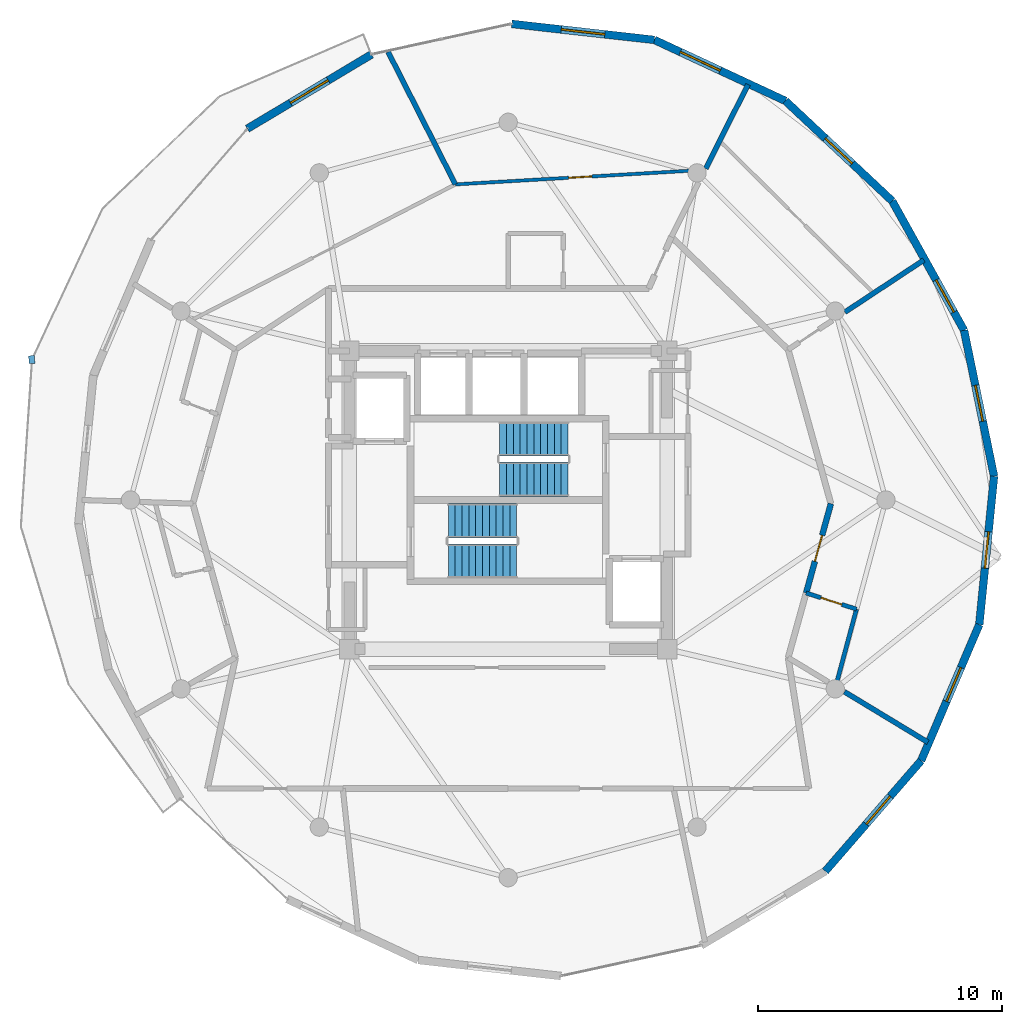
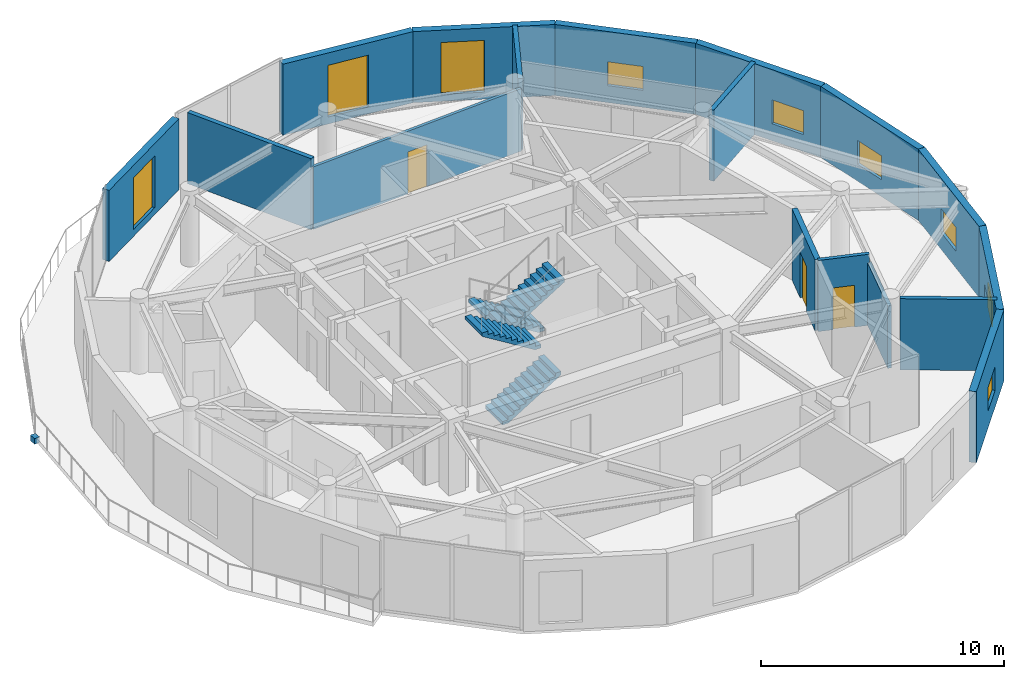
# One storey, part 13 of 15: 17 walls, 9 windows, 4 stair flights, 3 doors, 1 discrete accessory, 12 openings, 2 elements without a shape of their own.
"""IFC4 building model written with IfcOpenShell, lengths in metres."""

from ifc_helpers import new_model, si_unit, direction, frame, frame_2d, origin, origin_2d, place, context, subcontext, project, spatial, polyline, rectangle, outline, extrude, material, layer, layer_set, type_object, element, fill, aggregate, save


model = new_model("IFC4")

# Units and contexts
model_context = context("Model", 3, precision=1e-05, world=origin(), true_north=direction((0.0, 1.0)))
body_context = subcontext(model_context, "Body", "Model", "MODEL_VIEW")
ifc_project = project(units=[si_unit("LENGTHUNIT", "METRE"), si_unit("AREAUNIT", "SQUARE_METRE"), si_unit("VOLUMEUNIT", "CUBIC_METRE"), si_unit("PLANEANGLEUNIT", "RADIAN"), si_unit("MASSUNIT", "GRAM", prefix="KILO")], contexts=[model_context])

# Site, building, storey
site_placement = place(None, origin())
site = spatial("IfcSite", under=ifc_project, at=site_placement, CompositionType="ELEMENT")
building_placement = place(site_placement, origin())
building = spatial("IfcBuilding", under=site, at=building_placement, Name="Solvirekh Grand Hotel", CompositionType="ELEMENT")
storey_placement = place(building_placement, frame((0.0, 0.0, 270.60009765625)))
storey = spatial("IfcBuildingStorey", under=building, at=storey_placement, Name="L70", CompositionType="ELEMENT", Elevation=270.60009765625)

# Wall, opening, window
ifc_material_1 = material(Name="Precast concrete C45/55", Category="concrete")
ifc_layer_1 = layer(ifc_material_1, 0.320068359375)
ifc_layer_set_1 = layer_set([ifc_layer_1], Name="Precast concrete C45/55")
wall_type_1 = type_object("IfcWallType", Name="ExtLobbyWall_RC320", PredefinedType="SOLIDWALL", material=ifc_layer_set_1)
wall_1_placement = place(storey_placement, frame((16.89111328125, -10.6630859375, 0.0), z_axis=(0.0, 0.0, 1.0), x_axis=(-0.654956937311, -0.755666202941, 0.0)))
wall_1 = element("IfcWall", 1, at=wall_1_placement, inside=storey, type_object=wall_type_1, Name="L70 cantilevered deck support wall chord 3", PredefinedType="SOLIDWALL", context=body_context, shape_type="SweptSolid", body=[
    extrude(rectangle(XDim=5.9853515625, YDim=0.320068359375, at=frame_2d((2.99267578125, 0.0))), origin(), (0.0, 0.0, 1.0), 3.56982421875),
])
opening_1_placement = place(wall_1_placement, frame((1.927001953125, 0.0, 0.85009765625)))
opening_1 = element("IfcOpeningElement", 2, at=opening_1_placement, cuts=wall_1, Name="Opening W05", PredefinedType="OPENING", context=body_context, shape_type="SweptSolid", body=[
    extrude(rectangle(XDim=1.5, YDim=1.199951171875, at=frame_2d((0.75, 0.60009765625))), frame((0.0, 0.169921875, 0.0), z_axis=(0.0, -1.0, 0.0), x_axis=(1.0, 0.0, 0.0)), (0.0, 0.0, 1.0), 0.340087890625),
])
ifc_material_2 = material(Name="Low-E Tinted Bronze Laminated Glass", Category="aluminium")
window_type_1 = type_object("IfcWindowType", Name="Win_PlantVent_1500X1200", PartitioningType="SINGLE_PANEL", PredefinedType="WINDOW", material=ifc_material_2)
window_1_placement = place(opening_1_placement, origin())
window_1 = element("IfcWindow", 3, at=window_1_placement, inside=storey, type_object=window_type_1, Name="L70 bronze-framed vision ribbon window 3", OverallHeight=1.199951171875, OverallWidth=1.5, PartitioningType="SINGLE_PANEL", PredefinedType="WINDOW", context=body_context, shape_type="SweptSolid", body=[
    extrude(rectangle(XDim=1.5, YDim=1.199951171875, at=frame_2d((0.75, 0.60009765625))), frame((0.0, 0.030029296875, 0.0), z_axis=(0.0, -1.0, 0.0), x_axis=(1.0, 0.0, 0.0)), (0.0, 0.0, 1.0), 0.06005859375),
])
fill(opening_1, window_1)

wall_2_placement = place(storey_placement, frame((19.27001953125, -5.096923828125, 0.0), z_axis=(0.0, 0.0, 1.0), x_axis=(-0.392999104836, -0.919538853773, 0.0)))
wall_2 = element("IfcWall", 4, at=wall_2_placement, inside=storey, type_object=wall_type_1, Name="L70 cantilevered deck support wall chord 4", PredefinedType="SOLIDWALL", context=body_context, shape_type="SweptSolid", body=[
    extrude(rectangle(XDim=6.05322265625, YDim=0.320068359375, at=frame_2d((3.026611328125, 0.0))), origin(), (0.0, 0.0, 1.0), 3.56982421875),
])
opening_2_placement = place(wall_2_placement, frame((1.912109375, 0.0, 0.85009765625)))
opening_2 = element("IfcOpeningElement", 5, at=opening_2_placement, cuts=wall_2, Name="Opening W05", PredefinedType="OPENING", context=body_context, shape_type="SweptSolid", body=[
    extrude(rectangle(XDim=1.5, YDim=1.199951171875, at=frame_2d((0.75, 0.60009765625))), frame((0.0, 0.169921875, 0.0), z_axis=(0.0, -1.0, 0.0), x_axis=(1.0, 0.0, 0.0)), (0.0, 0.0, 1.0), 0.340087890625),
])
window_2_placement = place(opening_2_placement, origin())
window_2 = element("IfcWindow", 6, at=window_2_placement, inside=storey, type_object=window_type_1, Name="L70 bronze-framed vision ribbon window 4", OverallHeight=1.199951171875, OverallWidth=1.5, PartitioningType="SINGLE_PANEL", PredefinedType="WINDOW", context=body_context, shape_type="SweptSolid", body=[
    extrude(rectangle(XDim=1.5, YDim=1.199951171875, at=frame_2d((0.75, 0.60009765625))), frame((0.0, 0.030029296875, 0.0), z_axis=(0.0, -1.0, 0.0), x_axis=(1.0, 0.0, 0.0)), (0.0, 0.0, 1.0), 0.06005859375),
])
fill(opening_2, window_2)

wall_3_placement = place(storey_placement, frame((19.875, 0.968017578125, 0.0), z_axis=(0.0, 0.0, 1.0), x_axis=(-0.09925782999, -0.995061748429, 0.0)))
wall_3 = element("IfcWall", 7, at=wall_3_placement, inside=storey, type_object=wall_type_1, Name="L70 cantilevered deck support wall chord 5", PredefinedType="SOLIDWALL", context=body_context, shape_type="SweptSolid", body=[
    extrude(rectangle(XDim=6.094970703125, YDim=0.320068359375, at=frame_2d((3.04736328125, 0.0))), origin(), (0.0, 0.0, 1.0), 3.56982421875),
])
opening_3_placement = place(wall_3_placement, frame((2.27490234375, 0.0, 0.85009765625)))
opening_3 = element("IfcOpeningElement", 8, at=opening_3_placement, cuts=wall_3, Name="Opening W05", PredefinedType="OPENING", context=body_context, shape_type="SweptSolid", body=[
    extrude(rectangle(XDim=1.5, YDim=1.199951171875, at=frame_2d((0.75, 0.60009765625))), frame((0.0, 0.169921875, 0.0), z_axis=(0.0, -1.0, 0.0), x_axis=(1.0, 0.0, 0.0)), (0.0, 0.0, 1.0), 0.340087890625),
])
window_3_placement = place(opening_3_placement, origin())
window_3 = element("IfcWindow", 9, at=window_3_placement, inside=storey, type_object=window_type_1, Name="L70 bronze-framed vision ribbon window 5", OverallHeight=1.199951171875, OverallWidth=1.5, PartitioningType="SINGLE_PANEL", PredefinedType="WINDOW", context=body_context, shape_type="SweptSolid", body=[
    extrude(rectangle(XDim=1.5, YDim=1.199951171875, at=frame_2d((0.75, 0.60009765625))), frame((0.0, 0.030029296875, 0.0), z_axis=(0.0, -1.0, 0.0), x_axis=(1.0, 0.0, 0.0)), (0.0, 0.0, 1.0), 0.06005859375),
])
fill(opening_3, window_3)

wall_4_placement = place(storey_placement, frame((18.64697265625, 6.93896484375, 0.0), z_axis=(0.0, 0.0, 1.0), x_axis=(0.201450639807, -0.979498667545, 0.0)))
wall_4 = element("IfcWall", 10, at=wall_4_placement, inside=storey, type_object=wall_type_1, Name="L70 cantilevered deck support wall chord 6", PredefinedType="SOLIDWALL", context=body_context, shape_type="SweptSolid", body=[
    extrude(rectangle(XDim=6.095947265625, YDim=0.320068359375, at=frame_2d((3.0478515625, 0.0))), origin(), (0.0, 0.0, 1.0), 3.56982421875),
])
opening_4_placement = place(wall_4_placement, frame((2.298095703125, 0.0, 0.85009765625)))
opening_4 = element("IfcOpeningElement", 11, at=opening_4_placement, cuts=wall_4, Name="Opening W05", PredefinedType="OPENING", context=body_context, shape_type="SweptSolid", body=[
    extrude(rectangle(XDim=1.5, YDim=1.199951171875, at=frame_2d((0.75, 0.60009765625))), frame((0.0, 0.169921875, 0.0), z_axis=(0.0, -1.0, 0.0), x_axis=(1.0, 0.0, 0.0)), (0.0, 0.0, 1.0), 0.340087890625),
])
window_4_placement = place(opening_4_placement, origin())
window_4 = element("IfcWindow", 12, at=window_4_placement, inside=storey, type_object=window_type_1, Name="L70 bronze-framed vision ribbon window 6", OverallHeight=1.199951171875, OverallWidth=1.5, PartitioningType="SINGLE_PANEL", PredefinedType="WINDOW", context=body_context, shape_type="SweptSolid", body=[
    extrude(rectangle(XDim=1.5, YDim=1.199951171875, at=frame_2d((0.75, 0.60009765625))), frame((0.0, 0.030029296875, 0.0), z_axis=(0.0, -1.0, 0.0), x_axis=(1.0, 0.0, 0.0)), (0.0, 0.0, 1.0), 0.06005859375),
])
fill(opening_4, window_4)

wall_5_placement = place(storey_placement, frame((15.70703125, 12.22998046875, 0.0), z_axis=(0.0, 0.0, 1.0), x_axis=(0.485704572822, -0.87412302792, 0.0)))
wall_5 = element("IfcWall", 13, at=wall_5_placement, inside=storey, type_object=wall_type_1, Name="L70 cantilevered deck support wall chord 7", PredefinedType="SOLIDWALL", context=body_context, shape_type="SweptSolid", body=[
    extrude(rectangle(XDim=6.052978515625, YDim=0.320068359375, at=frame_2d((3.0263671875, 0.0))), origin(), (0.0, 0.0, 1.0), 3.56982421875),
])
opening_5_placement = place(wall_5_placement, frame((3.696044921875, 0.0, 0.85009765625)))
opening_5 = element("IfcOpeningElement", 14, at=opening_5_placement, cuts=wall_5, Name="Opening W05", PredefinedType="OPENING", context=body_context, shape_type="SweptSolid", body=[
    extrude(rectangle(XDim=1.5, YDim=1.199951171875, at=frame_2d((0.75, 0.60009765625))), frame((0.0, 0.169921875, 0.0), z_axis=(0.0, -1.0, 0.0), x_axis=(1.0, 0.0, 0.0)), (0.0, 0.0, 1.0), 0.340087890625),
])
window_5_placement = place(opening_5_placement, origin())
window_5 = element("IfcWindow", 15, at=window_5_placement, inside=storey, type_object=window_type_1, Name="L70 bronze-framed vision ribbon window 7", OverallHeight=1.199951171875, OverallWidth=1.5, PartitioningType="SINGLE_PANEL", PredefinedType="WINDOW", context=body_context, shape_type="SweptSolid", body=[
    extrude(rectangle(XDim=1.5, YDim=1.199951171875, at=frame_2d((0.75, 0.60009765625))), frame((0.0, 0.030029296875, 0.0), z_axis=(0.0, -1.0, 0.0), x_axis=(1.0, 0.0, 0.0)), (0.0, 0.0, 1.0), 0.06005859375),
])
fill(opening_5, window_5)

wall_6_placement = place(storey_placement, frame((11.342041015625, 16.323974609375, 0.0), z_axis=(0.0, 0.0, 1.0), x_axis=(0.729385792771, -0.684102598522, 0.0)))
wall_6 = element("IfcWall", 16, at=wall_6_placement, inside=storey, type_object=wall_type_1, Name="L70 cantilevered deck support wall chord 8", PredefinedType="SOLIDWALL", context=body_context, shape_type="SweptSolid", body=[
    extrude(rectangle(XDim=5.984375, YDim=0.320068359375, at=frame_2d((2.9921875, 0.0))), origin(), (0.0, 0.0, 1.0), 3.56982421875),
])
opening_6_placement = place(wall_6_placement, frame((2.241943359375, 0.0, 0.85009765625)))
opening_6 = element("IfcOpeningElement", 17, at=opening_6_placement, cuts=wall_6, Name="Opening W05", PredefinedType="OPENING", context=body_context, shape_type="SweptSolid", body=[
    extrude(rectangle(XDim=1.5, YDim=1.199951171875, at=frame_2d((0.75, 0.60009765625))), frame((0.0, 0.169921875, 0.0), z_axis=(0.0, -1.0, 0.0), x_axis=(1.0, 0.0, 0.0)), (0.0, 0.0, 1.0), 0.340087890625),
])
window_6_placement = place(opening_6_placement, origin())
window_6 = element("IfcWindow", 18, at=window_6_placement, inside=storey, type_object=window_type_1, Name="L70 bronze-framed vision ribbon window 8", OverallHeight=1.199951171875, OverallWidth=1.5, PartitioningType="SINGLE_PANEL", PredefinedType="WINDOW", context=body_context, shape_type="SweptSolid", body=[
    extrude(rectangle(XDim=1.5, YDim=1.199951171875, at=frame_2d((0.75, 0.60009765625))), frame((0.0, 0.030029296875, 0.0), z_axis=(0.0, -1.0, 0.0), x_axis=(1.0, 0.0, 0.0)), (0.0, 0.0, 1.0), 0.06005859375),
])
fill(opening_6, window_6)

wall_7_placement = place(storey_placement, frame((5.97900390625, 18.820068359375, 0.0), z_axis=(0.0, 0.0, 1.0), x_axis=(0.90661391217, -0.421961152548, 0.0)))
wall_7 = element("IfcWall", 19, at=wall_7_placement, inside=storey, type_object=wall_type_1, Name="L70 exterior structural wall chord 9", PredefinedType="SOLIDWALL", context=body_context, shape_type="SweptSolid", body=[
    extrude(rectangle(XDim=5.91552734375, YDim=0.320068359375, at=frame_2d((2.957763671875, 0.0))), origin(), (0.0, 0.0, 1.0), 3.56982421875),
])
opening_7_placement = place(wall_7_placement, frame((1.173095703125, 0.0, 0.35009765625)))
opening_7 = element("IfcOpeningElement", 20, at=opening_7_placement, cuts=wall_7, Name="Opening W02", PredefinedType="OPENING", context=body_context, shape_type="SweptSolid", body=[
    extrude(rectangle(XDim=1.800048828125, YDim=2.60009765625, at=frame_2d((0.89990234375, 1.300048828125))), frame((0.0, 0.169921875, 0.0), z_axis=(0.0, -1.0, 0.0), x_axis=(1.0, 0.0, 0.0)), (0.0, 0.0, 1.0), 0.340087890625),
])
window_type_2 = type_object("IfcWindowType", Name="Win_LobbyExt_1800X2600", PartitioningType="SINGLE_PANEL", PredefinedType="WINDOW", material=ifc_material_2)
window_7_placement = place(opening_7_placement, origin())
window_7 = element("IfcWindow", 21, at=window_7_placement, inside=storey, type_object=window_type_2, Name="L70 panoramic bronze-framed window 9", OverallHeight=2.60009765625, OverallWidth=1.800048828125, PartitioningType="SINGLE_PANEL", PredefinedType="WINDOW", context=body_context, shape_type="SweptSolid", body=[
    extrude(rectangle(XDim=1.800048828125, YDim=2.60009765625, at=frame_2d((0.89990234375, 1.300048828125))), frame((0.0, 0.030029296875, 0.0), z_axis=(0.0, -1.0, 0.0), x_axis=(1.0, 0.0, 0.0)), (0.0, 0.0, 1.0), 0.06005859375),
])
fill(opening_7, window_7)

wall_8_placement = place(storey_placement, frame((0.14306640625, 19.47412109375, 0.0), z_axis=(0.0, 0.0, 1.0), x_axis=(0.993778337548, -0.111376010973, 0.0)))
wall_8 = element("IfcWall", 22, at=wall_8_placement, inside=storey, type_object=wall_type_1, Name="L70 exterior structural wall chord 10", PredefinedType="SOLIDWALL", context=body_context, shape_type="SweptSolid", body=[
    extrude(rectangle(XDim=5.87255859375, YDim=0.320068359375, at=frame_2d((2.936279296875, 0.0))), origin(), (0.0, 0.0, 1.0), 3.56982421875),
])
opening_8_placement = place(wall_8_placement, frame((2.035888671875, 0.0, 0.35009765625)))
opening_8 = element("IfcOpeningElement", 23, at=opening_8_placement, cuts=wall_8, Name="Opening W02", PredefinedType="OPENING", context=body_context, shape_type="SweptSolid", body=[
    extrude(rectangle(XDim=1.800048828125, YDim=2.60009765625, at=frame_2d((0.89990234375, 1.300048828125))), frame((0.0, 0.169921875, 0.0), z_axis=(0.0, -1.0, 0.0), x_axis=(1.0, 0.0, 0.0)), (0.0, 0.0, 1.0), 0.340087890625),
])
window_8_placement = place(opening_8_placement, origin())
window_8 = element("IfcWindow", 24, at=window_8_placement, inside=storey, type_object=window_type_2, Name="L70 panoramic bronze-framed window 10", OverallHeight=2.60009765625, OverallWidth=1.800048828125, PartitioningType="SINGLE_PANEL", PredefinedType="WINDOW", context=body_context, shape_type="SweptSolid", body=[
    extrude(rectangle(XDim=1.800048828125, YDim=2.60009765625, at=frame_2d((0.89990234375, 1.300048828125))), frame((0.0, 0.030029296875, 0.0), z_axis=(0.0, -1.0, 0.0), x_axis=(1.0, 0.0, 0.0)), (0.0, 0.0, 1.0), 0.06005859375),
])
fill(opening_8, window_8)

wall_9_placement = place(storey_placement, frame((-10.6708984375, 15.18603515625, 0.0), z_axis=(0.0, 0.0, 1.0), x_axis=(0.858256729209, 0.513220602439, 0.0)))
wall_9 = element("IfcWall", 25, at=wall_9_placement, inside=storey, type_object=wall_type_1, Name="L70 exterior structural wall chord 12", PredefinedType="SOLIDWALL", context=body_context, shape_type="SweptSolid", body=[
    extrude(rectangle(XDim=5.915283203125, YDim=0.320068359375, at=frame_2d((2.95751953125, 0.0))), origin(), (0.0, 0.0, 1.0), 3.56982421875),
])
opening_9_placement = place(wall_9_placement, frame((2.05810546875, 0.0, 0.35009765625)))
opening_9 = element("IfcOpeningElement", 26, at=opening_9_placement, cuts=wall_9, Name="Opening W02", PredefinedType="OPENING", context=body_context, shape_type="SweptSolid", body=[
    extrude(rectangle(XDim=1.800048828125, YDim=2.60009765625, at=frame_2d((0.89990234375, 1.300048828125))), frame((0.0, 0.169921875, 0.0), z_axis=(0.0, -1.0, 0.0), x_axis=(1.0, 0.0, 0.0)), (0.0, 0.0, 1.0), 0.340087890625),
])
window_9_placement = place(opening_9_placement, origin())
window_9 = element("IfcWindow", 27, at=window_9_placement, inside=storey, type_object=window_type_2, Name="L70 panoramic bronze-framed window 12", OverallHeight=2.60009765625, OverallWidth=1.800048828125, PartitioningType="SINGLE_PANEL", PredefinedType="WINDOW", context=body_context, shape_type="SweptSolid", body=[
    extrude(rectangle(XDim=1.800048828125, YDim=2.60009765625, at=frame_2d((0.89990234375, 1.300048828125))), frame((0.0, 0.030029296875, 0.0), z_axis=(0.0, -1.0, 0.0), x_axis=(1.0, 0.0, 0.0)), (0.0, 0.0, 1.0), 0.06005859375),
])
fill(opening_9, window_9)

# Wall, opening, door
ifc_material_3 = material(Name="Acoustic Gypsum Partition Assembly")
ifc_layer_2 = layer(ifc_material_3, 0.239990234375)
ifc_layer_set_2 = layer_set([ifc_layer_2], Name="Acoustic Gypsum Partition Assembly")
wall_type_2 = type_object("IfcWallType", Name="Part_Corridor_240", PredefinedType="PARTITIONING", material=ifc_layer_set_2)
wall_10_placement = place(storey_placement, frame((12.18603515625, -3.803955078125, 0.0), z_axis=(0.0, 0.0, 1.0), x_axis=(0.267374891444, 0.963592583733, 0.0)))
wall_10 = element("IfcWall", 28, at=wall_10_placement, inside=storey, type_object=wall_type_2, Name="L70 Diplomatic Suite 7204 Living Room entrance wall", PredefinedType="PARTITIONING", context=body_context, shape_type="SweptSolid", body=[
    extrude(rectangle(XDim=3.7919921875, YDim=0.239990234375, at=frame_2d((1.89599609375, 0.0))), origin(), (0.0, 0.0, 1.0), 3.56982421875),
])
opening_10_placement = place(wall_10_placement, frame((1.345947265625, 0.0, 0.0)))
opening_10 = element("IfcOpeningElement", 29, at=opening_10_placement, cuts=wall_10, Name="Opening D08", PredefinedType="OPENING", context=body_context, shape_type="SweptSolid", body=[
    extrude(rectangle(XDim=1.10009765625, YDim=2.300048828125, at=frame_2d((0.550048828125, 1.14990234375))), frame((0.0, 0.1298828125, 0.0), z_axis=(0.0, -1.0, 0.0), x_axis=(1.0, 0.0, 0.0)), (0.0, 0.0, 1.0), 0.260009765625),
])
ifc_material_4 = material(Name="Fire-Rated Steel Door Assembly", Category="steel")
door_type_1 = type_object("IfcDoorType", Name="Door_SuiteEntry_1100X2300", OperationType="NOTDEFINED", PredefinedType="DOOR", material=ifc_material_4)
door_1_placement = place(opening_10_placement, origin())
door_1 = element("IfcDoor", 30, at=door_1_placement, inside=storey, type_object=door_type_1, Name="L70 Diplomatic Suite 7204 Living Room entrance door", OperationType="SINGLE_SWING_RIGHT", OverallHeight=2.300048828125, OverallWidth=1.10009765625, PredefinedType="DOOR", context=body_context, shape_type="SweptSolid", body=[
    extrude(rectangle(XDim=1.10009765625, YDim=2.300048828125, at=frame_2d((0.550048828125, 1.14990234375))), frame((0.0, 0.02490234375, 0.0), z_axis=(0.0, -1.0, 0.0), x_axis=(1.0, 0.0, 0.0)), (0.0, 0.0, 1.0), 0.050048828125),
])
fill(opening_10, door_1)

ifc_layer_3 = layer(ifc_material_3, 0.135009765625)
ifc_layer_set_3 = layer_set([ifc_layer_3], Name="Acoustic Gypsum Partition Assembly")
wall_type_3 = type_object("IfcWallType", Name="Part_RoomInt_135", PredefinedType="PARTITIONING", material=ifc_layer_set_3)
wall_11_placement = place(storey_placement, frame((-2.160888671875, 12.908935546875, 0.0), z_axis=(0.0, 0.0, 1.0), x_axis=(0.998308345871, 0.05814160785, 0.0)))
wall_11 = element("IfcWall", 31, at=wall_11_placement, inside=storey, type_object=wall_type_3, Name="L70 Panorama Suite 7201 North Sitting Room bedroom screen wall", PredefinedType="PARTITIONING", context=body_context, shape_type="SweptSolid", body=[
    extrude(rectangle(XDim=10.233154296875, YDim=0.135009765625, at=frame_2d((5.11669921875, 0.0))), origin(), (0.0, 0.0, 1.0), 3.137939453125),
])
opening_11_placement = place(wall_11_placement, frame((4.64208984375, 0.0, 0.0)))
opening_11 = element("IfcOpeningElement", 32, at=opening_11_placement, cuts=wall_11, Name="Opening D10", PredefinedType="OPENING", context=body_context, shape_type="SweptSolid", body=[
    extrude(rectangle(XDim=0.949951171875, YDim=2.10009765625, at=frame_2d((0.47509765625, 1.050048828125))), frame((0.0, 0.07763671875, 0.0), z_axis=(0.0, -1.0, 0.0), x_axis=(1.0, 0.0, 0.0)), (0.0, 0.0, 1.0), 0.155029296875),
])
ifc_material_5 = material(Name="Anodized Bronze Aluminium 6063-T6", Category="aluminium")
door_type_2 = type_object("IfcDoorType", Name="Door_RoomInt_950X2100", OperationType="NOTDEFINED", PredefinedType="DOOR", material=ifc_material_5)
door_2_placement = place(opening_11_placement, origin())
door_2 = element("IfcDoor", 33, at=door_2_placement, inside=storey, type_object=door_type_2, Name="L70 Panorama Suite 7201 North Sitting Room master bedroom door", OperationType="SINGLE_SWING_LEFT", OverallHeight=2.10009765625, OverallWidth=0.949951171875, PredefinedType="DOOR", context=body_context, shape_type="SweptSolid", body=[
    extrude(rectangle(XDim=0.949951171875, YDim=2.10009765625, at=frame_2d((0.47509765625, 1.050048828125))), frame((0.0, 0.02490234375, 0.0), z_axis=(0.0, -1.0, 0.0), x_axis=(1.0, 0.0, 0.0)), (0.0, 0.0, 1.0), 0.050048828125),
])
fill(opening_11, door_2)

# Walls
ifc_layer_4 = layer(ifc_material_3, 0.2099609375)
ifc_layer_set_4 = layer_set([ifc_layer_4], Name="Acoustic Gypsum Partition Assembly")
wall_type_4 = type_object("IfcWallType", Name="Part_SuiteDemise_210", PredefinedType="PARTITIONING", material=ifc_layer_set_4)
wall_12_placement = place(storey_placement, frame((13.77294921875, 7.68310546875, 0.0), z_axis=(0.0, 0.0, 1.0), x_axis=(0.834410963212, 0.551142762333, 0.0)))
element("IfcWall", 34, at=wall_12_placement, inside=storey, type_object=wall_type_4, Name="L70 suite radial wall 2 (B)", PredefinedType="PARTITIONING", context=body_context, shape_type="SweptSolid", body=[
    extrude(rectangle(XDim=3.869873046875, YDim=0.2099609375, at=frame_2d((1.93505859375, 0.0))), origin(), (0.0, 0.0, 1.0), 3.56982421875),
])
wall_13_placement = place(storey_placement, frame((8.080078125, 13.552978515625, 0.0), z_axis=(0.0, 0.0, 1.0), x_axis=(0.449494481026, 0.893283108274, 0.0)))
element("IfcWall", 35, at=wall_13_placement, inside=storey, type_object=wall_type_4, Name="L70 suite radial wall 3 (B)", PredefinedType="PARTITIONING", context=body_context, shape_type="SweptSolid", body=[
    extrude(rectangle(XDim=3.850830078125, YDim=0.2099609375, at=frame_2d((1.92529296875, 0.0))), origin(), (0.0, 0.0, 1.0), 3.56982421875),
])
wall_14_placement = place(storey_placement, frame((13.756103515625, -7.844970703125, 0.0), z_axis=(0.0, 0.0, 1.0), x_axis=(0.855336694692, -0.518072522638, 0.0)))
element("IfcWall", 36, at=wall_14_placement, inside=storey, type_object=wall_type_4, Name="L70 suite radial wall 12 (B)", PredefinedType="PARTITIONING", context=body_context, shape_type="SweptSolid", body=[
    extrude(rectangle(XDim=3.989990234375, YDim=0.2099609375, at=frame_2d((1.9951171875, 0.0))), origin(), (0.0, 0.0, 1.0), 3.56982421875),
])
wall_15_placement = place(storey_placement, frame((-2.160888671875, 12.908935546875, 0.0), z_axis=(0.0, 0.0, 1.0), x_axis=(-0.452554812293, 0.891736587715, 0.0)))
element("IfcWall", 37, at=wall_15_placement, inside=storey, type_object=wall_type_4, Name="L70 Panorama Suite 7201 North Sitting Room dividing partition 1", PredefinedType="PARTITIONING", context=body_context, shape_type="SweptSolid", body=[
    extrude(rectangle(XDim=6.079345703125, YDim=0.2099609375, at=frame_2d((3.03955078125, 0.0))), origin(), (0.0, 0.0, 1.0), 3.56982421875),
])
ifc_layer_5 = layer(ifc_material_3, 0.175048828125)
ifc_layer_set_5 = layer_set([ifc_layer_5], Name="Acoustic Gypsum Partition Assembly")
wall_type_5 = type_object("IfcWallType", Name="Plumb_Ensuite_175", PredefinedType="PLUMBINGWALL", material=ifc_layer_set_5)
wall_16_placement = place(storey_placement, frame((13.39599609375, -7.626953125, 0.0), z_axis=(0.0, 0.0, 1.0), x_axis=(0.259917321364, 0.965630874638, 0.0)))
element("IfcWall", 38, at=wall_16_placement, inside=storey, type_object=wall_type_5, Name="L70 En-suite Bathroom 7204 outer plumbing wall", PredefinedType="PLUMBINGWALL", context=body_context, shape_type="SweptSolid", body=[
    extrude(rectangle(XDim=3.2744140625, YDim=0.175048828125, at=frame_2d((1.63720703125, 0.0))), origin(), (0.0, 0.0, 1.0), 3.137939453125),
])

# Wall, opening, door
wall_17_placement = place(storey_placement, frame((12.18603515625, -3.803955078125, 0.0), z_axis=(0.0, 0.0, 1.0), x_axis=(0.952209126852, -0.305446850926, 0.0)))
wall_17 = element("IfcWall", 39, at=wall_17_placement, inside=storey, type_object=wall_type_5, Name="L70 En-suite Bathroom 7204 entry plumbing wall", PredefinedType="PLUMBINGWALL", context=body_context, shape_type="SweptSolid", body=[
    extrude(rectangle(XDim=2.16455078125, YDim=0.175048828125, at=frame_2d((1.082275390625, 0.0))), origin(), (0.0, 0.0, 1.0), 3.56982421875),
])
opening_12_placement = place(wall_17_placement, frame((0.632080078125, 0.0, 0.0)))
opening_12 = element("IfcOpeningElement", 40, at=opening_12_placement, cuts=wall_17, Name="Opening D09", PredefinedType="OPENING", context=body_context, shape_type="SweptSolid", body=[
    extrude(rectangle(XDim=0.89990234375, YDim=2.10009765625, at=frame_2d((0.449951171875, 1.050048828125))), frame((0.0, 0.09765625, 0.0), z_axis=(0.0, -1.0, 0.0), x_axis=(1.0, 0.0, 0.0)), (0.0, 0.0, 1.0), 0.195068359375),
])
door_type_3 = type_object("IfcDoorType", Name="Door_Ensuite_900X2100", OperationType="NOTDEFINED", PredefinedType="DOOR", material=ifc_material_5)
door_3_placement = place(opening_12_placement, origin())
door_3 = element("IfcDoor", 41, at=door_3_placement, inside=storey, type_object=door_type_3, Name="L70 En-suite Bathroom 7204 door", OperationType="SINGLE_SWING_LEFT", OverallHeight=2.10009765625, OverallWidth=0.89990234375, PredefinedType="DOOR", context=body_context, shape_type="SweptSolid", body=[
    extrude(rectangle(XDim=0.89990234375, YDim=2.10009765625, at=frame_2d((0.449951171875, 1.050048828125))), frame((0.0, 0.02490234375, 0.0), z_axis=(0.0, -1.0, 0.0), x_axis=(1.0, 0.0, 0.0)), (0.0, 0.0, 1.0), 0.050048828125),
])
fill(opening_12, door_3)

# Stair, stair flights
ifc_material_6 = material(Name="Concrete C40/50", Category="concrete")
stair_type = type_object("IfcStairType", Name="Stair_Core_1450", PredefinedType="HALF_TURN_STAIR", material=ifc_material_6)
stair_1_placement = place(storey_placement, origin())
stair_1 = element("IfcStair", 42, at=stair_1_placement, inside=storey, type_object=stair_type, Name="L70 Enclosed exit stair ST-1", PredefinedType="HALF_TURN_STAIR")
stair_flight_type = type_object("IfcStairFlightType", Name="Flight_Core_1450", PredefinedType="STRAIGHT", material=ifc_material_6)
stair_flight_1_placement = place(storey_placement, frame((-2.449951171875, -2.5, 0.0), z_axis=(0.0, 0.0, 1.0), x_axis=(1.0, 0.0, 0.0)))
stair_flight_1 = element("IfcStairFlight", 43, at=stair_flight_1_placement, type_object=stair_flight_type, Name="ST-1 flight 1", NumberOfRisers=11, NumberOfTreads=10, PredefinedType="STRAIGHT", RiserHeight=0.172727273, TreadLength=0.28, context=body_context, shape_type="SweptSolid", body=[
    extrude(outline(polyline([(0.0, 0.0), (0.0, 0.172607421875), (0.280029296875, 0.172607421875), (0.280029296875, 0.345458984375), (0.56005859375, 0.345458984375), (0.56005859375, 0.51806640625), (0.840087890625, 0.51806640625), (0.840087890625, 0.69091796875), (1.1201171875, 0.69091796875), (1.1201171875, 0.863525390625), (1.39990234375, 0.863525390625), (1.39990234375, 1.036376953125), (1.679931640625, 1.036376953125), (1.679931640625, 1.208984375), (1.9599609375, 1.208984375), (1.9599609375, 1.3818359375), (2.239990234375, 1.3818359375), (2.239990234375, 1.554443359375), (2.52001953125, 1.554443359375), (2.52001953125, 1.727294921875), (2.800048828125, 1.727294921875), (2.800048828125, 1.89990234375), (2.800048828125, 1.551025390625), (0.285400390625, 0.0), (0.0, 0.0)])), frame((0.0, 0.699951171875, 0.0), z_axis=(0.0, -1.0, 0.0), x_axis=(1.0, 0.0, 0.0)), (0.0, 0.0, 1.0), 1.39990234375),
])
stair_flight_2_placement = place(storey_placement, frame((0.35009765625, -0.85009765625, 1.89990234375), z_axis=(0.0, 0.0, 1.0), x_axis=(-1.0, 0.0, 0.0)))
stair_flight_2 = element("IfcStairFlight", 44, at=stair_flight_2_placement, type_object=stair_flight_type, Name="ST-1 flight 2", NumberOfRisers=11, NumberOfTreads=10, PredefinedType="STRAIGHT", RiserHeight=0.172727273, TreadLength=0.28, context=body_context, shape_type="SweptSolid", body=[
    extrude(outline(polyline([(0.0, 0.0), (0.0, 0.172607421875), (0.280029296875, 0.172607421875), (0.280029296875, 0.345458984375), (0.56005859375, 0.345458984375), (0.56005859375, 0.51806640625), (0.840087890625, 0.51806640625), (0.840087890625, 0.69091796875), (1.1201171875, 0.69091796875), (1.1201171875, 0.863525390625), (1.39990234375, 0.863525390625), (1.39990234375, 1.036376953125), (1.679931640625, 1.036376953125), (1.679931640625, 1.208984375), (1.9599609375, 1.208984375), (1.9599609375, 1.3818359375), (2.239990234375, 1.3818359375), (2.239990234375, 1.554443359375), (2.52001953125, 1.554443359375), (2.52001953125, 1.727294921875), (2.800048828125, 1.727294921875), (2.800048828125, 1.89990234375), (2.800048828125, 1.551025390625), (0.285400390625, 0.0), (0.0, 0.0)])), frame((0.0, 0.699951171875, 0.0), z_axis=(0.0, -1.0, 0.0), x_axis=(1.0, 0.0, 0.0)), (0.0, 0.0, 1.0), 1.39990234375),
])
aggregate(stair_1, [stair_flight_1, stair_flight_2])

stair_2_placement = place(storey_placement, origin())
stair_2 = element("IfcStair", 45, at=stair_2_placement, inside=storey, type_object=stair_type, Name="L70 Enclosed exit stair ST-2", PredefinedType="HALF_TURN_STAIR")
stair_flight_3_placement = place(storey_placement, frame((2.449951171875, 2.5, 0.0), z_axis=(0.0, 0.0, 1.0), x_axis=(-1.0, 0.0, 0.0)))
stair_flight_3 = element("IfcStairFlight", 46, at=stair_flight_3_placement, type_object=stair_flight_type, Name="ST-2 flight 1", NumberOfRisers=11, NumberOfTreads=10, PredefinedType="STRAIGHT", RiserHeight=0.172727273, TreadLength=0.28, context=body_context, shape_type="SweptSolid", body=[
    extrude(outline(polyline([(0.0, 0.0), (0.0, 0.172607421875), (0.280029296875, 0.172607421875), (0.280029296875, 0.345458984375), (0.56005859375, 0.345458984375), (0.56005859375, 0.51806640625), (0.840087890625, 0.51806640625), (0.840087890625, 0.69091796875), (1.1201171875, 0.69091796875), (1.1201171875, 0.863525390625), (1.39990234375, 0.863525390625), (1.39990234375, 1.036376953125), (1.679931640625, 1.036376953125), (1.679931640625, 1.208984375), (1.9599609375, 1.208984375), (1.9599609375, 1.3818359375), (2.239990234375, 1.3818359375), (2.239990234375, 1.554443359375), (2.52001953125, 1.554443359375), (2.52001953125, 1.727294921875), (2.800048828125, 1.727294921875), (2.800048828125, 1.89990234375), (2.800048828125, 1.551025390625), (0.285400390625, 0.0), (0.0, 0.0)])), frame((0.0, 0.699951171875, 0.0), z_axis=(0.0, -1.0, 0.0), x_axis=(1.0, 0.0, 0.0)), (0.0, 0.0, 1.0), 1.39990234375),
])
stair_flight_4_placement = place(storey_placement, frame((-0.35009765625, 0.85009765625, 1.89990234375), z_axis=(0.0, 0.0, 1.0), x_axis=(1.0, 0.0, 0.0)))
stair_flight_4 = element("IfcStairFlight", 47, at=stair_flight_4_placement, type_object=stair_flight_type, Name="ST-2 flight 2", NumberOfRisers=11, NumberOfTreads=10, PredefinedType="STRAIGHT", RiserHeight=0.172727273, TreadLength=0.28, context=body_context, shape_type="SweptSolid", body=[
    extrude(outline(polyline([(0.0, 0.0), (0.0, 0.172607421875), (0.280029296875, 0.172607421875), (0.280029296875, 0.345458984375), (0.56005859375, 0.345458984375), (0.56005859375, 0.51806640625), (0.840087890625, 0.51806640625), (0.840087890625, 0.69091796875), (1.1201171875, 0.69091796875), (1.1201171875, 0.863525390625), (1.39990234375, 0.863525390625), (1.39990234375, 1.036376953125), (1.679931640625, 1.036376953125), (1.679931640625, 1.208984375), (1.9599609375, 1.208984375), (1.9599609375, 1.3818359375), (2.239990234375, 1.3818359375), (2.239990234375, 1.554443359375), (2.52001953125, 1.554443359375), (2.52001953125, 1.727294921875), (2.800048828125, 1.727294921875), (2.800048828125, 1.89990234375), (2.800048828125, 1.551025390625), (0.285400390625, 0.0), (0.0, 0.0)])), frame((0.0, 0.699951171875, 0.0), z_axis=(0.0, -1.0, 0.0), x_axis=(1.0, 0.0, 0.0)), (0.0, 0.0, 1.0), 1.39990234375),
])
aggregate(stair_2, [stair_flight_3, stair_flight_4])

# Discrete accessory
ifc_material_7 = material(Name="Steel S355", Category="steel")
discrete_accessory_type = type_object("IfcDiscreteAccessoryType", Name="Acc_ThermalBracket", PredefinedType="BRACKET", material=ifc_material_7)
discrete_accessory_placement = place(storey_placement, frame((-19.488037109375, 5.742919921875, -0.2802734375), z_axis=(0.0, 0.0, 1.0), x_axis=(0.052335956243, -0.998629534755, 0.0)))
element("IfcDiscreteAccessory", 48, at=discrete_accessory_placement, inside=storey, type_object=discrete_accessory_type, Name="L70 balcony thermal-break bracket", PredefinedType="BRACKET", context=body_context, shape_type="SweptSolid", body=[
    extrude(rectangle(XDim=0.320068359375, YDim=0.239990234375, at=origin_2d()), origin(), (0.0, 0.0, 1.0), 0.280029296875),
])

save(model, "model.ifc")
